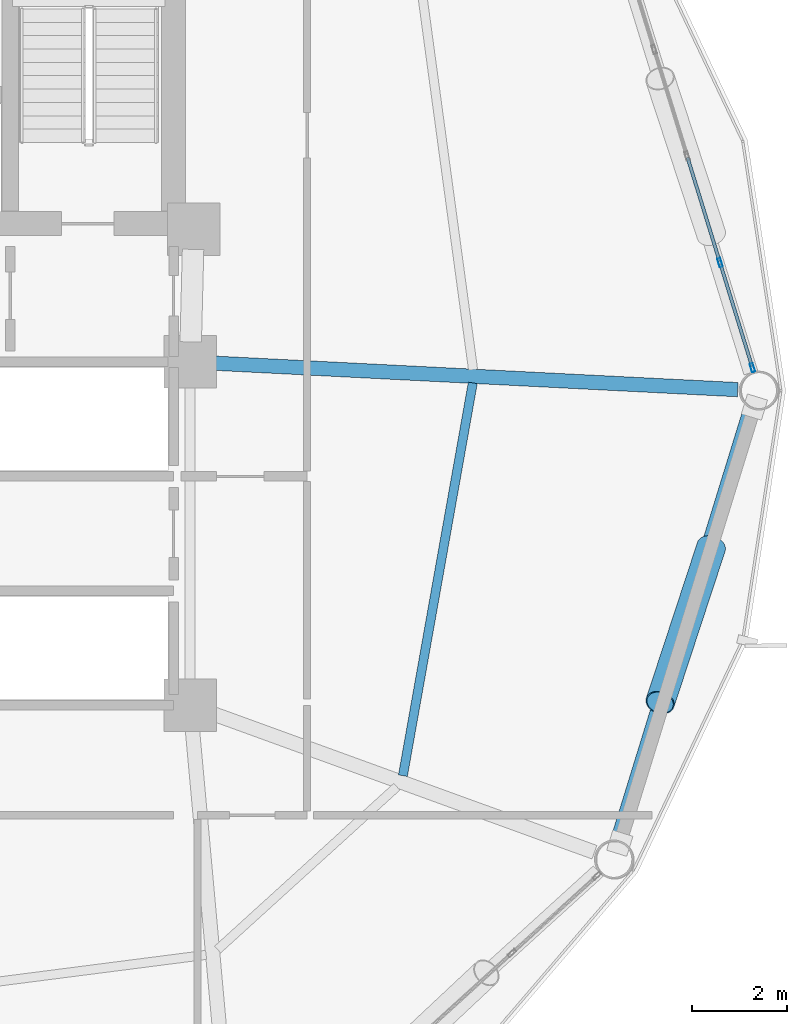
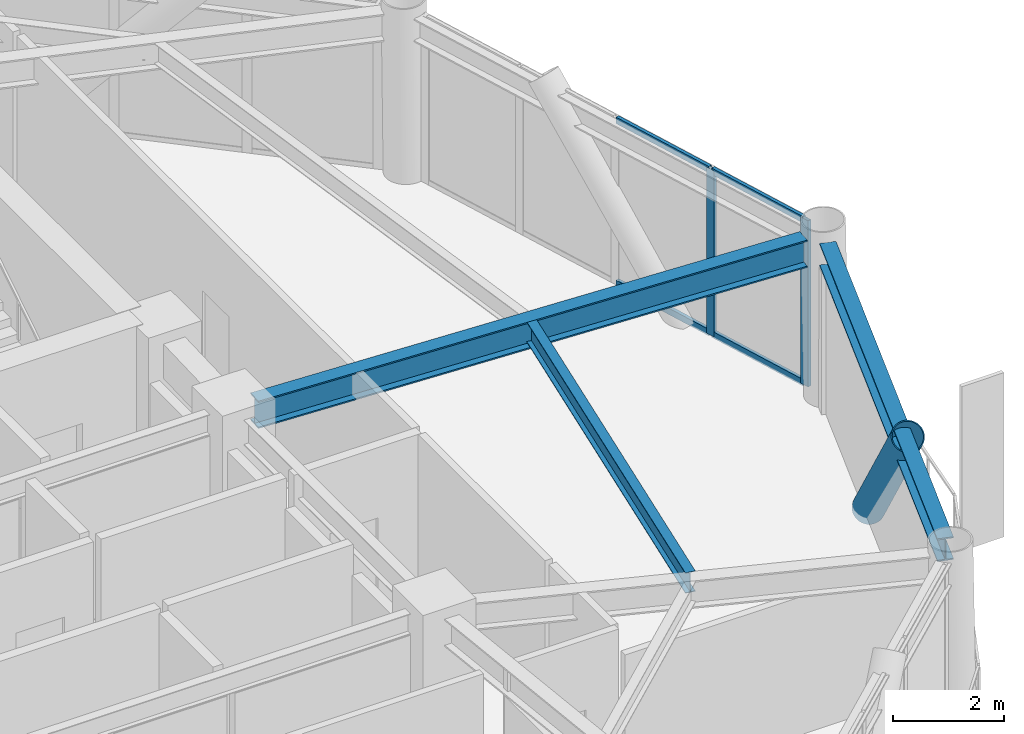
# One storey, part 13 of 25: 7 members, 3 beams, 1 element without a shape of its own.
"""IFC4 building model written with IfcOpenShell, lengths in metres."""

from ifc_helpers import new_model, si_unit, direction, frame, origin, origin_2d, place, context, subcontext, project, spatial, hollow_rectangle, hollow_circle, i_section, extrude, material, layer, layer_set, material_profile, profile_set, type_object, element, aggregate, save


model = new_model("IFC4")

# Units and contexts
model_context = context("Model", 3, precision=1e-05, world=origin(), true_north=direction((0.0, 1.0)))
body_context = subcontext(model_context, "Body", "Model", "MODEL_VIEW")
ifc_project = project(units=[si_unit("LENGTHUNIT", "METRE"), si_unit("AREAUNIT", "SQUARE_METRE"), si_unit("VOLUMEUNIT", "CUBIC_METRE"), si_unit("PLANEANGLEUNIT", "RADIAN"), si_unit("MASSUNIT", "GRAM", prefix="KILO")], contexts=[model_context])

# Site, building, storey
site_placement = place(None, origin())
site = spatial("IfcSite", under=ifc_project, at=site_placement, CompositionType="ELEMENT")
building_placement = place(site_placement, origin())
building = spatial("IfcBuilding", under=site, at=building_placement, Name="Varnakorn Sky Granary", CompositionType="ELEMENT")
storey_placement = place(building_placement, frame((0.0, 0.0, 91.5)))
storey = spatial("IfcBuildingStorey", under=building, at=storey_placement, Name="L22", CompositionType="ELEMENT", Elevation=91.5)

# Beams
ifc_material_1 = material(Name="Steel S355JR", Category="steel")
ifc_material_profile_1 = material_profile(ifc_material_1, i_section(OverallWidth=0.300048828125, OverallDepth=0.60009765625, WebThickness=0.015380859375, FlangeThickness=0.030029296875, at=origin_2d()), Name="HE 600 B")
ifc_profile_set_1 = profile_set([ifc_material_profile_1], Name="Steel S355JR")
beam_type_1 = type_object("IfcBeamType", Name="BM-RAD-Z2", PredefinedType="BEAM", material=ifc_profile_set_1)
beam_1_placement = place(storey_placement, frame((8.76953125, 0.578857421875, 3.340087890625), z_axis=(0.998723966771, -0.050501863314, 0.0), x_axis=(0.050501863314, 0.998723966771, 0.0)))
element("IfcBeam", 1, at=beam_1_placement, inside=storey, type_object=beam_type_1, Name="Radial Floor Girder RG01 L22", PredefinedType="BEAM", context=body_context, shape_type="SweptSolid", body=[
    extrude(i_section(OverallWidth=0.300048828125, OverallDepth=0.60009765625, WebThickness=0.015380859375, FlangeThickness=0.030029296875, at=origin_2d()), origin(), (0.0, 0.0, 1.0), 11.070556640625),
])
ifc_material_profile_2 = material_profile(ifc_material_1, i_section(OverallWidth=0.18994140625, OverallDepth=0.449951171875, WebThickness=0.009521484375, FlangeThickness=0.0146484375, at=origin_2d()), Name="IPE 450")
ifc_profile_set_2 = profile_set([ifc_material_profile_2], Name="Steel S355JR")
beam_type_2 = type_object("IfcBeamType", Name="BM-SEC-Z2", PredefinedType="BEAM", material=ifc_profile_set_2)
beam_2_placement = place(storey_placement, frame((12.80810546875, -8.072021484375, 3.4150390625), z_axis=(0.175187403044, 0.984535105425, 0.0), x_axis=(-0.984535105425, 0.175187403044, 0.0)))
element("IfcBeam", 2, at=beam_2_placement, inside=storey, type_object=beam_type_2, Name="Secondary Floor Chord Beam MSB12 L22", PredefinedType="BEAM", context=body_context, shape_type="SweptSolid", body=[
    extrude(i_section(OverallWidth=0.18994140625, OverallDepth=0.449951171875, WebThickness=0.009521484375, FlangeThickness=0.0146484375, at=origin_2d()), origin(), (0.0, 0.0, 1.0), 8.363037109375),
])
ifc_material_profile_3 = material_profile(ifc_material_1, i_section(OverallWidth=0.300048828125, OverallDepth=0.5, WebThickness=0.014404296875, FlangeThickness=0.028076171875, at=origin_2d()), Name="HE 500 B")
ifc_profile_set_3 = profile_set([ifc_material_profile_3], Name="Steel S355JR")
beam_type_3 = type_object("IfcBeamType", Name="BM-SPD-Z2", PredefinedType="SPANDREL", material=ifc_profile_set_3)
beam_3_placement = place(storey_placement, frame((17.305908203125, -9.435791015625, 3.389892578125), z_axis=(0.294800350665, 0.955558869588, 0.0), x_axis=(-0.955558869588, 0.294800350665, 0.0)))
element("IfcBeam", 3, at=beam_3_placement, inside=storey, type_object=beam_type_3, Name="Perimeter Spandrel Ring Beam RB12 L22", PredefinedType="SPANDREL", context=body_context, shape_type="SweptSolid", body=[
    extrude(i_section(OverallWidth=0.300048828125, OverallDepth=0.5, WebThickness=0.014404296875, FlangeThickness=0.028076171875, at=origin_2d()), origin(), (0.0, 0.0, 1.0), 9.483154296875),
])

# Curtain wall, members
ifc_material_2 = material(Name="Anodised Bronze Aluminium Alloy 6063-T6", Category="aluminium")
ifc_layer = layer(ifc_material_2, 0.18994140625, Name="Anodised Bronze Aluminium Alloy 6063-T6")
ifc_layer_set = layer_set([ifc_layer], Name="Anodised Bronze Aluminium Alloy 6063-T6")
curtain_wall_type = type_object("IfcCurtainWallType", Name="CW-FRM-1", PredefinedType="USERDEFINED", material=ifc_layer_set)
curtain_wall_placement = place(storey_placement, origin())
curtain_wall = element("IfcCurtainWall", 4, at=curtain_wall_placement, inside=storey, type_object=curtain_wall_type, Name="Unitised Curtain Wall CW3 CW-L22-B01", ObjectType="CURTAIN WALL", PredefinedType="USERDEFINED")
ifc_material_profile_4 = material_profile(ifc_material_2, hollow_rectangle(XDim=0.070068359375, YDim=0.18505859375, WallThickness=0.00390625, at=origin_2d()), Name="ALU MULL 70x185")
ifc_profile_set_4 = profile_set([ifc_material_profile_4], Name="Anodised Bronze Aluminium Alloy 6063-T6")
member_type_1 = type_object("IfcMemberType", Name="CW-FRM-1-MULL", PredefinedType="MULLION", material=ifc_profile_set_4)
member_1_placement = place(storey_placement, frame((19.455322265625, 2.68115234375, 0.0), z_axis=(0.0, 0.0, 1.0), x_axis=(0.955517788397, 0.294933477341, 0.0)))
member_1 = element("IfcMember", 5, at=member_1_placement, type_object=member_type_1, Name="CW3 mullion 4", PredefinedType="MULLION", context=body_context, shape_type="SweptSolid", body=[
    extrude(hollow_rectangle(XDim=0.070068359375, YDim=0.18505859375, WallThickness=0.00390625, at=origin_2d()), origin(), (0.0, 0.0, 1.0), 3.639892578125),
])
member_2_placement = place(storey_placement, frame((20.135009765625, 0.479248046875, 0.0), z_axis=(0.0, 0.0, 1.0), x_axis=(0.955517788397, 0.294933477341, 0.0)))
member_2 = element("IfcMember", 6, at=member_2_placement, type_object=member_type_1, Name="CW3 mullion 5", PredefinedType="MULLION", context=body_context, shape_type="SweptSolid", body=[
    extrude(hollow_rectangle(XDim=0.070068359375, YDim=0.18505859375, WallThickness=0.00390625, at=origin_2d()), origin(), (0.0, 0.0, 1.0), 3.639892578125),
])
ifc_material_profile_5 = material_profile(ifc_material_2, hollow_rectangle(XDim=0.070068359375, YDim=0.139892578125, WallThickness=0.00341796875, at=origin_2d()), Name="ALU TRAN 70x140")
ifc_profile_set_5 = profile_set([ifc_material_profile_5], Name="Anodised Bronze Aluminium Alloy 6063-T6")
member_type_2 = type_object("IfcMemberType", Name="CW-FRM-1-TRAN", PredefinedType="USERDEFINED", material=ifc_profile_set_5)
member_3_placement = place(storey_placement, frame((18.775634765625, 4.88330078125, 0.034912109375), z_axis=(0.294947424438, -0.955513483326, 0.0), x_axis=(0.955513483326, 0.294947424438, 0.0)))
member_3 = element("IfcMember", 7, at=member_3_placement, type_object=member_type_2, Name="CW3 transom 3.1", ObjectType="TRANSOM", PredefinedType="USERDEFINED", context=body_context, shape_type="SweptSolid", body=[
    extrude(hollow_rectangle(XDim=0.070068359375, YDim=0.139892578125, WallThickness=0.00341796875, at=origin_2d()), origin(), (0.0, 0.0, 1.0), 2.269775390625),
])
member_4_placement = place(storey_placement, frame((18.775634765625, 4.88330078125, 3.60498046875), z_axis=(0.294947424438, -0.955513483326, 0.0), x_axis=(0.955513483326, 0.294947424438, 0.0)))
member_4 = element("IfcMember", 8, at=member_4_placement, type_object=member_type_2, Name="CW3 transom 3.2", ObjectType="TRANSOM", PredefinedType="USERDEFINED", context=body_context, shape_type="SweptSolid", body=[
    extrude(hollow_rectangle(XDim=0.070068359375, YDim=0.139892578125, WallThickness=0.00341796875, at=origin_2d()), origin(), (0.0, 0.0, 1.0), 2.269775390625),
])
member_5_placement = place(storey_placement, frame((19.465576171875, 2.647705078125, 0.034912109375), z_axis=(0.295007055556, -0.955495074384, 0.0), x_axis=(0.955495074384, 0.295007055556, 0.0)))
member_5 = element("IfcMember", 9, at=member_5_placement, type_object=member_type_2, Name="CW3 transom 4.1", ObjectType="TRANSOM", PredefinedType="USERDEFINED", context=body_context, shape_type="SweptSolid", body=[
    extrude(hollow_rectangle(XDim=0.070068359375, YDim=0.139892578125, WallThickness=0.00341796875, at=origin_2d()), origin(), (0.0, 0.0, 1.0), 2.234375),
])
member_6_placement = place(storey_placement, frame((19.465576171875, 2.647705078125, 3.60498046875), z_axis=(0.295007055556, -0.955495074384, 0.0), x_axis=(0.955495074384, 0.295007055556, 0.0)))
member_6 = element("IfcMember", 10, at=member_6_placement, type_object=member_type_2, Name="CW3 transom 4.2", ObjectType="TRANSOM", PredefinedType="USERDEFINED", context=body_context, shape_type="SweptSolid", body=[
    extrude(hollow_rectangle(XDim=0.070068359375, YDim=0.139892578125, WallThickness=0.00341796875, at=origin_2d()), origin(), (0.0, 0.0, 1.0), 2.234375),
])
aggregate(curtain_wall, [member_1, member_2, member_3, member_4, member_5, member_6])

# Member
ifc_material_3 = material(Name="Steel S460M", Category="steel")
ifc_material_profile_6 = material_profile(ifc_material_3, hollow_circle(Radius=0.304931640625, WallThickness=0.022216796875, at=origin_2d()), Name="CHS 610x22")
ifc_profile_set_6 = profile_set([ifc_material_profile_6], Name="Steel S460M")
member_type_3 = type_object("IfcMemberType", Name="MB-DIAG-T1", PredefinedType="BRACE", material=ifc_profile_set_6)
member_7_placement = place(storey_placement, frame((19.271240234375, -3.27783203125, -0.1298828125), z_axis=(-0.205668491626, -0.626000543306, 0.752212597165), x_axis=(0.950039580361, -0.312129453509, 0.0)))
element("IfcMember", 11, at=member_7_placement, inside=storey, type_object=member_type_3, Name="Perimeter CHS Diagrid Brace DG12 L22", PredefinedType="BRACE", context=body_context, shape_type="SweptSolid", body=[
    extrude(hollow_circle(Radius=0.304931640625, WallThickness=0.022216796875, at=origin_2d()), origin(), (0.0, 0.0, 1.0), 5.211181640625),
])

save(model, "model.ifc")
